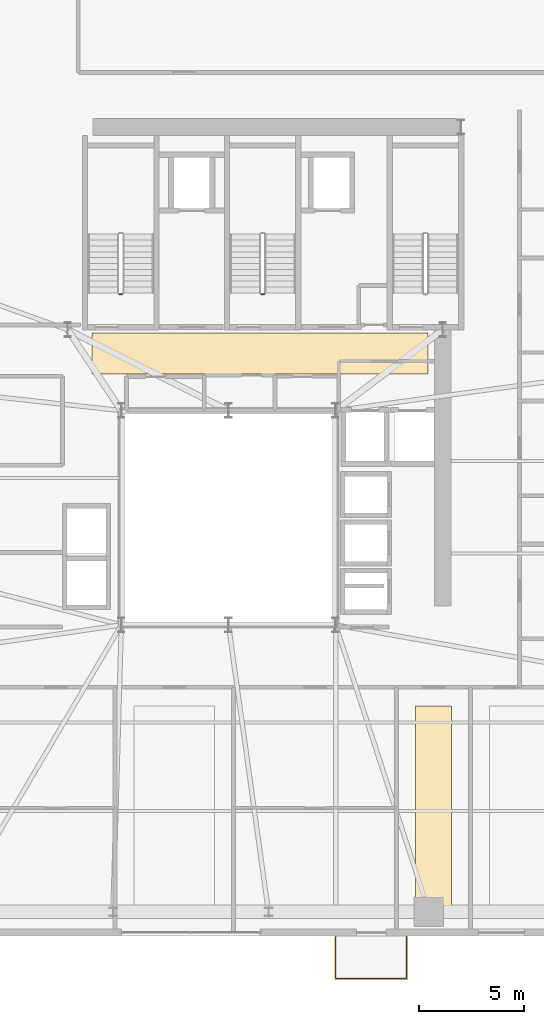
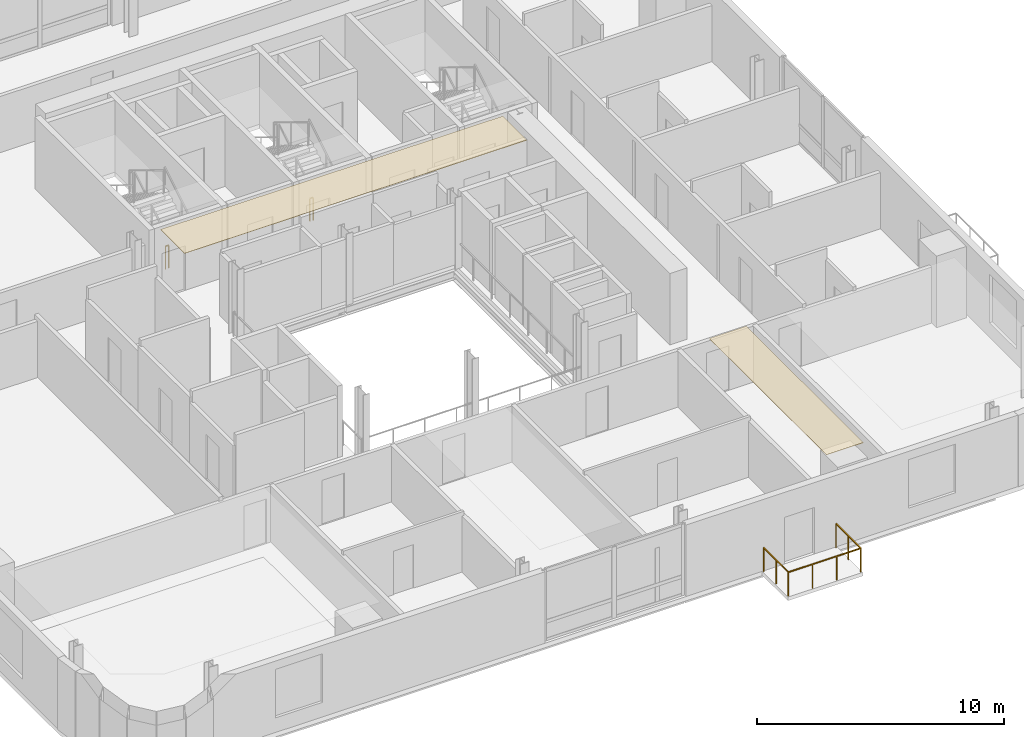
# One storey, part 13 of 15: 3 railings, 2 coverings.
"""IFC4 building model written with IfcOpenShell, lengths in metres."""

from ifc_helpers import new_model, si_unit, direction, frame, origin, origin_2d, place, context, subcontext, project, spatial, polyline, rectangle, outline, extrude, source, transform, mapped, material, layer, layer_set, type_object, element, save


model = new_model("IFC4")

# Units and contexts
model_context = context("Model", 3, precision=1e-05, world=origin(), true_north=direction((0.0, 1.0)))
body_context = subcontext(model_context, "Body", "Model", "MODEL_VIEW")
ifc_project = project(units=[si_unit("LENGTHUNIT", "METRE"), si_unit("AREAUNIT", "SQUARE_METRE"), si_unit("VOLUMEUNIT", "CUBIC_METRE"), si_unit("PLANEANGLEUNIT", "RADIAN"), si_unit("MASSUNIT", "GRAM", prefix="KILO")], contexts=[model_context])

# Site, building, storey
site_placement = place(None, origin())
site = spatial("IfcSite", under=ifc_project, at=site_placement, CompositionType="ELEMENT")
building_placement = place(site_placement, origin())
building = spatial("IfcBuilding", under=site, at=building_placement, Name="Vardaveli Station Tower", CompositionType="ELEMENT")
storey_placement = place(building_placement, frame((0.0, 0.0, 229.800048828125)))
storey = spatial("IfcBuildingStorey", under=building, at=storey_placement, Name="L59", CompositionType="ELEMENT", Elevation=229.800048828125)

# Coverings
ifc_material_1 = material(Name="Perforated acoustic mineral ceiling")
ifc_layer = layer(ifc_material_1, 0.02001953125, Name="Perforated acoustic mineral ceiling")
ifc_layer_set = layer_set([ifc_layer], Name="Perforated acoustic mineral ceiling")
covering_type = type_object("IfcCoveringType", Name="COV-CEIL-AC20", PredefinedType="CEILING", material=ifc_layer_set)
covering_1_placement = place(storey_placement, frame((0.0, 0.0, 3.514892578125)))
element("IfcCovering", 1, at=covering_1_placement, inside=storey, type_object=covering_type, Name="CEIL-L59-3", PredefinedType="CEILING", context=body_context, shape_type="SweptSolid", body=[
    extrude(outline(polyline([(45.189697265625, 3.25), (46.919921875, 3.25), (46.919921875, 12.72998046875), (45.189697265625, 12.72998046875), (45.189697265625, 3.25)])), origin(), (0.0, 0.0, 1.0), 0.02001953125),
])
covering_2_placement = place(storey_placement, frame((0.0, 0.0, 3.514892578125)))
element("IfcCovering", 2, at=covering_2_placement, inside=storey, type_object=covering_type, Name="CEIL-L59-5", PredefinedType="CEILING", context=body_context, shape_type="SweptSolid", body=[
    extrude(outline(polyline([(29.800048828125, 28.550048828125), (45.800048828125, 28.550048828125), (45.800048828125, 30.5), (29.800048828125, 30.5), (29.800048828125, 28.550048828125)])), origin(), (0.0, 0.0, 1.0), 0.02001953125),
])

# Railings
ifc_material_2 = material(Name="Laminated glass and stainless steel balustrade", Category="steel")
railing_type_1 = type_object("IfcRailingType", Name="RL-BAL-1200", PredefinedType="BALUSTRADE", material=ifc_material_2)
shared_shape_1 = source(origin(), body_context, "Body", "SweptSolid", [
    extrude(rectangle(XDim=0.048095703125, YDim=0.048095703125, at=origin_2d()), frame((0.0, 0.0, 1.17578125), z_axis=(0.0, -1.0, 0.0), x_axis=(1.0, 0.0, 0.0)), (0.0, 0.0, 1.0), 2.0),
    extrude(rectangle(XDim=0.048095703125, YDim=0.048095703125, at=origin_2d()), frame((0.0, -2.0, 1.17578125), z_axis=(1.0, 0.0, 0.0), x_axis=(0.0, 1.0, 0.0)), (0.0, 0.0, 1.0), 3.3798828125),
    extrude(rectangle(XDim=0.048095703125, YDim=0.048095703125, at=origin_2d()), frame((3.3798828125, -2.0, 1.17578125), z_axis=(0.0, 1.0, 0.0), x_axis=(-1.0, 0.0, 0.0)), (0.0, 0.0, 1.0), 2.0),
    extrude(rectangle(XDim=0.0419921875, YDim=0.0419921875, at=origin_2d()), origin(), (0.0, 0.0, 1.0), 1.15185546875),
    extrude(rectangle(XDim=0.0419921875, YDim=0.0419921875, at=origin_2d()), frame((0.0, -1.0, 0.0)), (0.0, 0.0, 1.0), 1.15185546875),
    extrude(rectangle(XDim=0.0419921875, YDim=0.0419921875, at=origin_2d()), frame((0.0, -2.0, 0.0)), (0.0, 0.0, 1.0), 1.15185546875),
    extrude(rectangle(XDim=0.0419921875, YDim=0.0419921875, at=origin_2d()), frame((1.126708984375, -2.0, 0.0)), (0.0, 0.0, 1.0), 1.15185546875),
    extrude(rectangle(XDim=0.0419921875, YDim=0.0419921875, at=origin_2d()), frame((2.253173828125, -2.0, 0.0)), (0.0, 0.0, 1.0), 1.15185546875),
    extrude(rectangle(XDim=0.0419921875, YDim=0.0419921875, at=origin_2d()), frame((3.3798828125, -2.0, 0.0)), (0.0, 0.0, 1.0), 1.15185546875),
    extrude(rectangle(XDim=0.0419921875, YDim=0.0419921875, at=origin_2d()), frame((3.3798828125, -1.0, 0.0)), (0.0, 0.0, 1.0), 1.15185546875),
    extrude(rectangle(XDim=0.0419921875, YDim=0.0419921875, at=origin_2d()), frame((3.3798828125, 0.0, 0.0)), (0.0, 0.0, 1.0), 1.15185546875),
])
railing_placement = place(storey_placement, frame((41.399658203125, 1.760009765625, 0.0)))
element("IfcRailing", 3, at=railing_placement, inside=storey, type_object=railing_type_1, Name="RL-LOG-L59-01", PredefinedType="BALUSTRADE", context=body_context, shape_type="MappedRepresentation", body=[
    mapped(shared_shape_1, transform((0.0, 0.0, 0.0), scale=1.0)),
])
ifc_material_3 = material(Name="Brushed AISI 316 stainless steel", Category="steel")
railing_type_2 = type_object("IfcRailingType", Name="RL-GUARD-1150", PredefinedType="GUARDRAIL", material=ifc_material_3)
shared_shape_2 = source(origin(), body_context, "Body", "SweptSolid", [
    extrude(rectangle(XDim=0.048095703125, YDim=0.048095703125, at=origin_2d()), frame((0.0, 0.0, 1.1259765625), z_axis=(-1.0, 0.0, 0.0), x_axis=(0.0, -1.0, 0.0)), (0.0, 0.0, 1.0), 0.14990234375),
    extrude(rectangle(XDim=0.0419921875, YDim=0.0419921875, at=origin_2d()), origin(), (0.0, 0.0, 1.0), 1.101806640625),
    extrude(rectangle(XDim=0.0419921875, YDim=0.0419921875, at=origin_2d()), frame((-0.14990234375, 0.0, 0.0)), (0.0, 0.0, 1.0), 1.101806640625),
])
for number, where, name in (
    (4, (31.25, 32.35009765625, 0.0), "L59 ST-1 stair guard 4"),
    (5, (38.0, 32.35009765625, 0.0), "L59 ST-2 stair guard 4"),
):
    element("IfcRailing", number, at=place(storey_placement, frame(where)), inside=storey, type_object=railing_type_2, Name=name, PredefinedType="GUARDRAIL", context=body_context, shape_type="MappedRepresentation", body=[
        mapped(shared_shape_2, transform((0.0, 0.0, 0.0), scale=1.0)),
    ])

save(model, "model.ifc")
